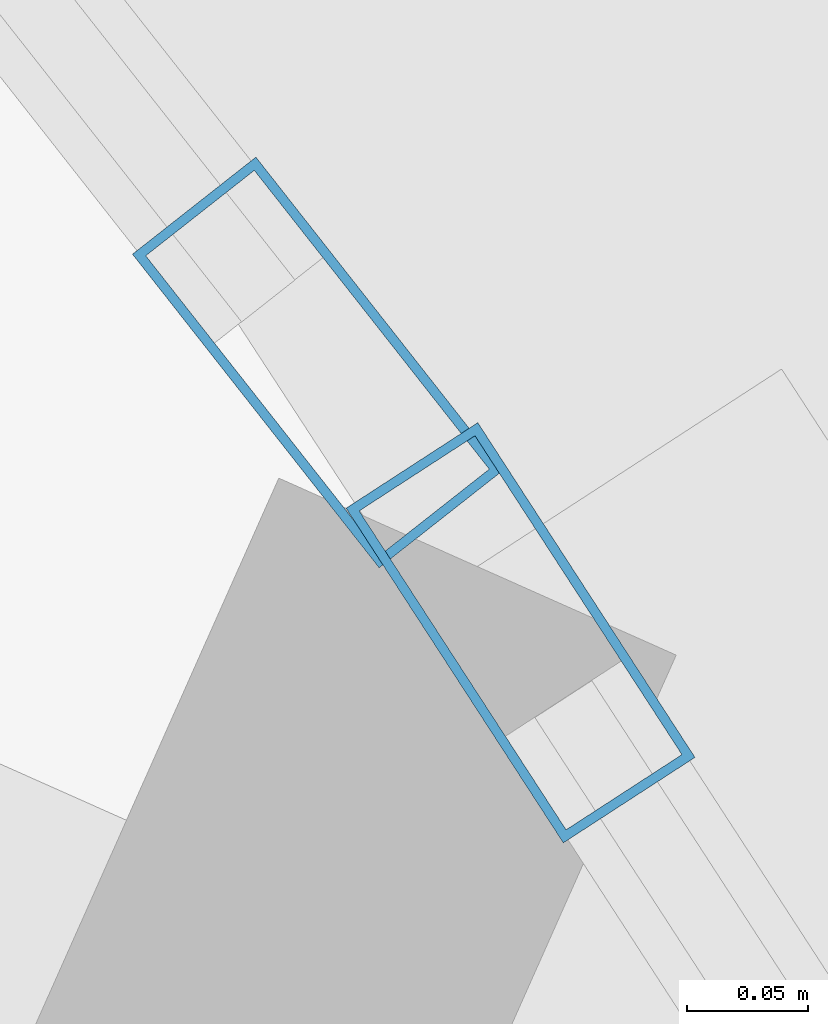
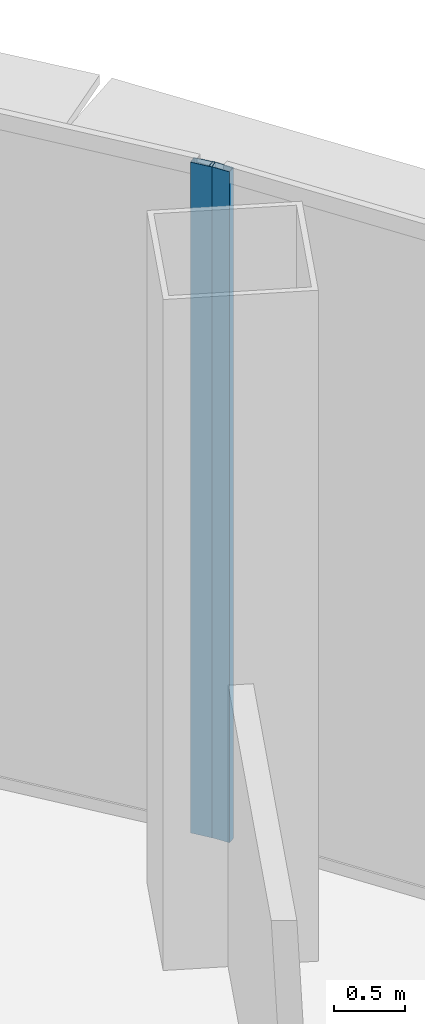
# One storey, part 20 of 41: 2 members, 2 elements without a shape of their own.
"""IFC4 building model written with IfcOpenShell, lengths in metres."""

import ifcopenshell
import ifcopenshell.guid

model = None  # the IFC model being written
_history = None  # IfcOwnerHistory: only IFC2X3 demands one
_inside = {}  # id of a spatial element -> (the spatial element, [elements in it])
_under = {}  # id of a project, library or spatial element -> (it, [spatial elements below it])
_declared = {}  # id of a project -> (the project, [libraries it declares])
_typed = {}  # id of a type object -> (the type object, [elements of that type])
_made_of = {}  # id of a material, layer set ... -> (it, [elements and type objects made of it])


def new_model(schema):
    """Start an empty IFC model of exactly this schema.

    Asked for "IFC4X3", IfcOpenShell would pick the latest addendum, in which some entities
    have other attributes; the version numbers below select the first issue.
    IFC2X3 requires an IfcOwnerHistory on every rooted entity: one is made here for all.
    """
    global model, _history
    if schema == "IFC4X3":
        model = ifcopenshell.file(schema_version=(4, 3, 0, 0))
    else:
        model = ifcopenshell.file(schema=schema)
    _inside.clear()
    _under.clear()
    _declared.clear()
    _typed.clear()
    _made_of.clear()
    _history = None
    if model.schema == "IFC2X3":
        org = make("IfcOrganization", Name="unknown")
        user = make(
            "IfcPersonAndOrganization",
            ThePerson=make("IfcPerson", FamilyName="unknown"),
            TheOrganization=org,
        )
        app = make(
            "IfcApplication",
            ApplicationDeveloper=org,
            Version="unknown",
            ApplicationFullName="unknown",
            ApplicationIdentifier="unknown",
        )
        _history = make(
            "IfcOwnerHistory",
            OwningUser=user,
            OwningApplication=app,
            ChangeAction="ADDED",
            CreationDate=0,
        )
    return model


def make(cls, **values):
    """One entity of the class cls with the attributes given. An attribute that is None is left unset."""
    return model.create_entity(
        cls, **{name: value for name, value in values.items() if value is not None}
    )


def rooted(cls, **values):
    """An entity with a GlobalId (a new one), such as an element, a storey or a relation."""
    return make(cls, GlobalId=ifcopenshell.guid.new(), OwnerHistory=_history, **values)


def si_unit(unit_type, name, prefix=None):
    """IfcSIUnit, for example si_unit("LENGTHUNIT", "METRE", prefix="MILLI")."""
    return make("IfcSIUnit", UnitType=unit_type, Prefix=prefix, Name=name)


def assignment(units):
    """IfcUnitAssignment: the units of a project."""
    return None if units is None else make("IfcUnitAssignment", Units=units)


def point(xyz):
    """IfcCartesianPoint."""
    return None if xyz is None else make("IfcCartesianPoint", Coordinates=xyz)


def direction(xyz):
    """IfcDirection."""
    return None if xyz is None else make("IfcDirection", DirectionRatios=xyz)


def frame(location, z_axis=None, x_axis=None):
    """IfcAxis2Placement3D, a coordinate frame: its origin and axes. An axis left out is left unset."""
    return make(
        "IfcAxis2Placement3D",
        Location=point(location),
        Axis=direction(z_axis),
        RefDirection=direction(x_axis),
    )


def frame_2d(location, x_axis=None):
    """IfcAxis2Placement2D, a coordinate frame in the plane: its origin and x axis."""
    return make(
        "IfcAxis2Placement2D", Location=point(location), RefDirection=direction(x_axis)
    )


def origin():
    """The frame at (0, 0, 0) with its axes left unset."""
    return frame((0.0, 0.0, 0.0))


def origin_2d():
    """The frame at (0, 0) in the plane with its x axis left unset."""
    return frame_2d((0.0, 0.0))


def place(relative_to, where):
    """IfcLocalPlacement: puts the frame where relative to a parent placement (None: the world)."""
    return make(
        "IfcLocalPlacement", PlacementRelTo=relative_to, RelativePlacement=where
    )


def context(
    kind, dimensions, precision=None, world=None, true_north=None, identifier=None
):
    """IfcGeometricRepresentationContext, for example the 3D "Model" context."""
    return make(
        "IfcGeometricRepresentationContext",
        ContextIdentifier=identifier,
        ContextType=kind,
        CoordinateSpaceDimension=dimensions,
        Precision=precision,
        WorldCoordinateSystem=world,
        TrueNorth=true_north,
    )


def subcontext(parent, identifier, kind, view, scale=None):
    """IfcGeometricRepresentationSubContext, for example "Body" below "Model"."""
    return make(
        "IfcGeometricRepresentationSubContext",
        ContextIdentifier=identifier,
        ContextType=kind,
        ParentContext=parent,
        TargetScale=scale,
        TargetView=view,
    )


def project(units=None, contexts=None):
    """IfcProject with its units and contexts."""
    return rooted(
        "IfcProject",
        Name="project",
        RepresentationContexts=contexts,
        UnitsInContext=assignment(units),
    )


def spatial(cls, under=None, at=None, **own):
    """A site, building, storey or space (cls), placed at a placement, below another one or the project."""
    s = rooted(cls, ObjectPlacement=at, **own)
    if under is not None:
        _under.setdefault(under.id(), (under, []))[1].append(s)
    return s


def profile(cls, at=None, kind="AREA", **sizes):
    """A parametric profile (cls). Its sizes go by their IFC names, for example OverallWidth=200.0."""
    return make(cls, ProfileType=kind, Position=at, **sizes)


def hollow_rectangle(**sizes):
    """IfcRectangleHollowProfileDef."""
    return profile("IfcRectangleHollowProfileDef", **sizes)


def extrude(swept, where, along, depth):
    """IfcExtrudedAreaSolid: the profile swept, set in the frame where, extruded along a direction by depth."""
    return make(
        "IfcExtrudedAreaSolid",
        SweptArea=swept,
        Position=where,
        ExtrudedDirection=direction(along),
        Depth=depth,
    )


def shape(context_of_items, identifier, shape_type, items):
    """IfcShapeRepresentation: the items that make up one representation, for example the "Body"."""
    return make(
        "IfcShapeRepresentation",
        ContextOfItems=context_of_items,
        RepresentationIdentifier=identifier,
        RepresentationType=shape_type,
        Items=items,
    )


def source(mapping_origin, context_of_items, identifier, shape_type, items):
    """IfcRepresentationMap: a shape defined once, which mapped items show again and again."""
    return make(
        "IfcRepresentationMap",
        MappingOrigin=mapping_origin,
        MappedRepresentation=shape(context_of_items, identifier, shape_type, items),
    )


def transform(
    local_origin,
    x_axis=None,
    y_axis=None,
    z_axis=None,
    scale=None,
    scale2=None,
    scale3=None,
    uniform=True,
):
    """IfcCartesianTransformationOperator3D, or its non-uniform kind. x_axis, y_axis, z_axis: its Axis1, 2, 3."""
    if uniform:
        return make(
            "IfcCartesianTransformationOperator3D",
            Axis1=direction(x_axis),
            Axis2=direction(y_axis),
            LocalOrigin=point(local_origin),
            Scale=scale,
            Axis3=direction(z_axis),
        )
    return make(
        "IfcCartesianTransformationOperator3DnonUniform",
        Axis1=direction(x_axis),
        Axis2=direction(y_axis),
        LocalOrigin=point(local_origin),
        Scale=scale,
        Axis3=direction(z_axis),
        Scale2=scale2,
        Scale3=scale3,
    )


def mapped(mapping_source, mapping_target):
    """IfcMappedItem: shows the shape of a source again, moved by a transform."""
    return make(
        "IfcMappedItem", MappingSource=mapping_source, MappingTarget=mapping_target
    )


def material(Name=None, Category=None):
    """IfcMaterial."""
    return make("IfcMaterial", Name=Name, Category=Category)


def layer(
    of_material, thickness, ventilated=None, Name=None, Category=None, Priority=None
):
    """IfcMaterialLayer: one layer of a wall or slab, of a material (None: an air gap)."""
    return make(
        "IfcMaterialLayer",
        Material=of_material,
        LayerThickness=thickness,
        IsVentilated=ventilated,
        Name=Name,
        Category=Category,
        Priority=Priority,
    )


def layer_set(layers, Name=None):
    """IfcMaterialLayerSet."""
    return make("IfcMaterialLayerSet", MaterialLayers=layers, LayerSetName=Name)


def material_profile(
    of_material, cross_section, Name=None, Category=None, Priority=None
):
    """IfcMaterialProfile: a cross section and its material."""
    return make(
        "IfcMaterialProfile",
        Name=Name,
        Material=of_material,
        Profile=cross_section,
        Priority=Priority,
        Category=Category,
    )


def profile_set(profiles, Name=None, composite=None):
    """IfcMaterialProfileSet."""
    return make(
        "IfcMaterialProfileSet",
        Name=Name,
        MaterialProfiles=profiles,
        CompositeProfile=composite,
    )


def made_of(thing, what):
    """Note that an element or type object is made of a material, layer set ...; save() writes the relation."""
    if what is not None:
        _made_of.setdefault(what.id(), (what, []))[1].append(thing)
    return thing


def type_object(cls, material=None, **own):
    """A type object (cls), such as IfcWallType, which elements share."""
    return made_of(rooted(cls, **own), material)


def element(
    cls,
    number,
    at=None,
    inside=None,
    cuts=None,
    type_object=None,
    material=None,
    context=None,
    identifier="Body",
    shape_type=None,
    held_by="IfcProductDefinitionShape",
    body=None,
    shapes=None,
    **own,
):
    """One element of the class cls, such as IfcWall. Its Tag is "e" and its number.

    at: its placement. inside: the storey or other place that contains it. cuts: it is an
    opening in that element (IfcRelVoidsElement). A single representation is given by context,
    identifier, shape_type and body (its items); several are given by shapes. held_by: the class
    of the entity that holds the representations. save() writes the other relations.
    """
    e = rooted(cls, Tag="e%d" % number, ObjectPlacement=at, **own)
    if body is not None:
        shapes = [shape(context, identifier, shape_type, body)]
    if shapes is not None:
        e.Representation = make(held_by, Representations=shapes)
    if inside is not None:
        _inside.setdefault(inside.id(), (inside, []))[1].append(e)
    if cuts is not None:
        rooted(
            "IfcRelVoidsElement", RelatingBuildingElement=cuts, RelatedOpeningElement=e
        )
    if type_object is not None:
        _typed.setdefault(type_object.id(), (type_object, []))[1].append(e)
    return made_of(e, material)


def aggregate(whole, parts):
    """IfcRelAggregates: a whole, such as a stair, and the parts it consists of."""
    return rooted("IfcRelAggregates", RelatingObject=whole, RelatedObjects=parts)


def save(model, path):
    """Write the relations noted so far, then the file.

    IfcRelAggregates (storeys below a building ...), IfcRelContainedInSpatialStructure (elements
    in a storey), IfcRelDefinesByType, IfcRelAssociatesMaterial and IfcRelDeclares: one each for
    every whole, place, type object, material and project.
    """
    for whole, parts in _under.values():
        aggregate(whole, parts)
    for where, things in _inside.values():
        rooted(
            "IfcRelContainedInSpatialStructure",
            RelatedElements=things,
            RelatingStructure=where,
        )
    for kind, things in _typed.values():
        rooted("IfcRelDefinesByType", RelatedObjects=things, RelatingType=kind)
    for what, things in _made_of.values():
        rooted("IfcRelAssociatesMaterial", RelatedObjects=things, RelatingMaterial=what)
    for by, libraries in _declared.values():
        rooted("IfcRelDeclares", RelatingContext=by, RelatedDefinitions=libraries)
    model.write(path)


model = new_model("IFC4")

# Units and contexts
model_context = context("Model", 3, precision=1e-05, world=origin(), true_north=direction((0.0, 1.0)))
body_context = subcontext(model_context, "Body", "Model", "MODEL_VIEW")
ifc_project = project(units=[si_unit("LENGTHUNIT", "METRE"), si_unit("AREAUNIT", "SQUARE_METRE"), si_unit("VOLUMEUNIT", "CUBIC_METRE"), si_unit("PLANEANGLEUNIT", "RADIAN"), si_unit("MASSUNIT", "GRAM", prefix="KILO"), si_unit("THERMODYNAMICTEMPERATUREUNIT", "KELVIN"), si_unit("POWERUNIT", "WATT")], contexts=[model_context])

# Site, building, storey
site_placement = place(None, origin())
site = spatial("IfcSite", under=ifc_project, at=site_placement, CompositionType="ELEMENT")
building_placement = place(site_placement, origin())
building = spatial("IfcBuilding", under=site, at=building_placement, Name="Yunzhuo Pagoda Commons", CompositionType="ELEMENT")
storey_placement = place(building_placement, frame((0.0, 0.0, 70.330078125)))
storey = spatial("IfcBuildingStorey", under=building, at=storey_placement, Name="L18", CompositionType="ELEMENT", Elevation=70.330078125)

# Curtain wall, member
ifc_material = material(Name="Anodized aluminium 6063-T6", Category="aluminium")
ifc_layer = layer(ifc_material, 0.1650390625)
ifc_layer_set = layer_set([ifc_layer], Name="Anodized aluminium 6063-T6")
curtain_wall_type = type_object("IfcCurtainWallType", Name="CW-LOW Low-Zone Ribbon Curtain Wall", PredefinedType="NOTDEFINED", material=ifc_layer_set)
curtain_wall_1_placement = place(storey_placement, origin())
curtain_wall_1 = element("IfcCurtainWall", 1, at=curtain_wall_1_placement, inside=storey, type_object=curtain_wall_type, Name="L18 curtain wall CW-L18-F2B4", PredefinedType="NOTDEFINED")
ifc_material_profile = material_profile(ifc_material, hollow_rectangle(XDim=0.06494140625, YDim=0.1650390625, WallThickness=0.00390625, at=origin_2d()), Name="Anodized aluminium 6063-T6")
ifc_profile_set = profile_set([ifc_material_profile], Name="Anodized aluminium 6063-T6")
member_type = type_object("IfcMemberType", Name="CW-LOW-M Mullion RHS 165x65x4", PredefinedType="MULLION", material=ifc_profile_set)
shared_shape = source(origin(), body_context, "Body", "SweptSolid", [
    extrude(hollow_rectangle(XDim=0.06494140625, YDim=0.1650390625, WallThickness=0.00390625, at=origin_2d()), origin(), (0.0, 0.0, 1.0), 5.77001953125),
])
member_1_placement = place(storey_placement, frame((65.0556640625, 71.9404296875, 0.0), z_axis=(0.0, 0.0, 1.0), x_axis=(-0.838840312647, -0.54437756188, 0.0)))
member_1 = element("IfcMember", 2, at=member_1_placement, type_object=member_type, Name="CW mullion 2", PredefinedType="MULLION", context=body_context, shape_type="MappedRepresentation", body=[
    mapped(shared_shape, transform((0.0, 0.0, 0.0), scale=1.0)),
])
aggregate(curtain_wall_1, [member_1])

curtain_wall_2_placement = place(storey_placement, origin())
curtain_wall_2 = element("IfcCurtainWall", 3, at=curtain_wall_2_placement, inside=storey, type_object=curtain_wall_type, Name="L18 curtain wall CW-L18-F2B5", PredefinedType="NOTDEFINED")
member_2_placement = place(storey_placement, frame((64.9716796875, 72.05224609375, 0.0), z_axis=(0.0, 0.0, 1.0), x_axis=(-0.78604582322, -0.618168232602, 0.0)))
member_2 = element("IfcMember", 4, at=member_2_placement, type_object=member_type, Name="CW mullion 1", PredefinedType="MULLION", context=body_context, shape_type="MappedRepresentation", body=[
    mapped(shared_shape, transform((0.0, 0.0, 0.0), scale=1.0)),
])
aggregate(curtain_wall_2, [member_2])

save(model, "model.ifc")
